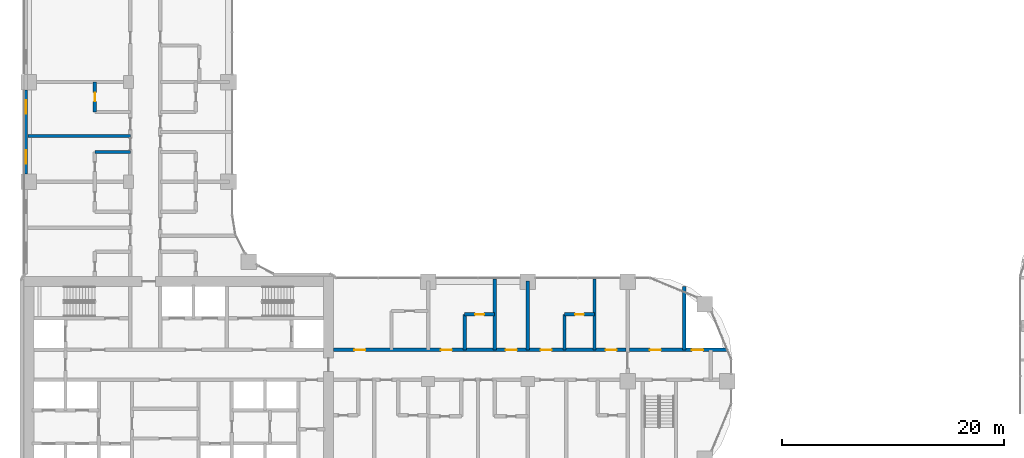
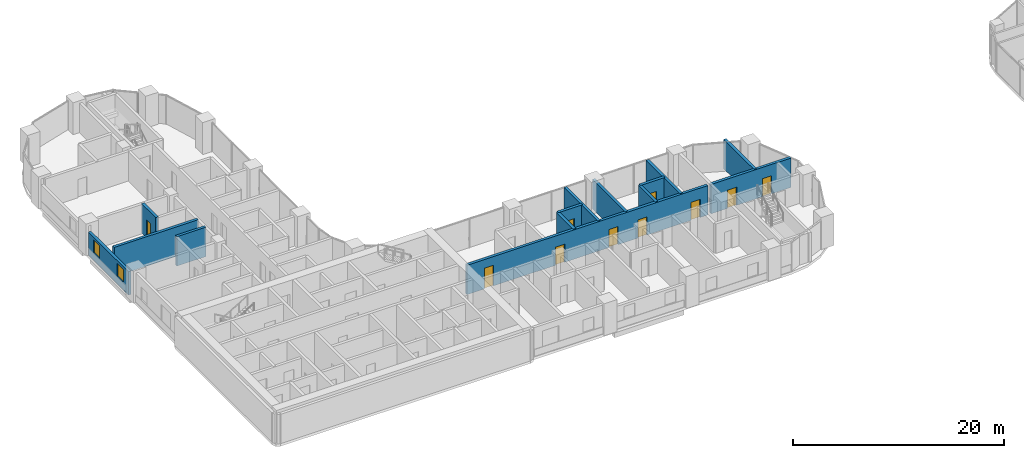
# One storey, part 19 of 31: 14 walls, 10 doors, 2 windows, 12 openings.
"""IFC4 building model written with IfcOpenShell, lengths in metres."""

from ifc_helpers import new_model, si_unit, direction, frame, frame_2d, origin, place, context, subcontext, project, spatial, rectangle, extrude, material, layer, layer_set, type_object, element, fill, save


model = new_model("IFC4")

# Units and contexts
model_context = context("Model", 3, precision=1e-05, world=origin(), true_north=direction((0.0, 1.0)))
body_context = subcontext(model_context, "Body", "Model", "MODEL_VIEW")
ifc_project = project(units=[si_unit("LENGTHUNIT", "METRE"), si_unit("AREAUNIT", "SQUARE_METRE"), si_unit("VOLUMEUNIT", "CUBIC_METRE"), si_unit("PLANEANGLEUNIT", "RADIAN"), si_unit("MASSUNIT", "GRAM", prefix="KILO")], contexts=[model_context])

# Site, building, storey
site_placement = place(None, origin())
site = spatial("IfcSite", under=ifc_project, at=site_placement, CompositionType="ELEMENT")
building_placement = place(site_placement, origin())
building = spatial("IfcBuilding", under=site, at=building_placement, Name="Ogive Portal Towers", CompositionType="ELEMENT")
storey_placement = place(building_placement, frame((0.0, 0.0, 40.89990234375)))
storey = spatial("IfcBuildingStorey", under=building, at=storey_placement, Name="L08", CompositionType="ELEMENT", Elevation=40.89990234375)

# Wall, openings, windows
ifc_material_1 = material(Name="Limestone cladding on lightweight block wall", Category="masonry")
ifc_layer_1 = layer(ifc_material_1, 0.300048828125)
ifc_layer_set_1 = layer_set([ifc_layer_1], Name="EXTERNAL WALL 300 STONE")
wall_type_1 = type_object("IfcWallType", Name="EXTERNAL WALL 300 STONE", PredefinedType="SOLIDWALL", material=ifc_layer_set_1)
wall_1_placement = place(storey_placement, frame((31.22509765625, 56.800048828125, 0.0), z_axis=(0.0, 0.0, 1.0), x_axis=(0.0, -1.0, 0.0)))
wall_1 = element("IfcWall", 1, at=wall_1_placement, inside=storey, type_object=wall_type_1, Name="A:L08:f13:r0:wall3", PredefinedType="SOLIDWALL", context=body_context, shape_type="SweptSolid", body=[
    extrude(rectangle(XDim=7.60009765625, YDim=0.300048828125, at=frame_2d((3.800048828125, 0.0))), origin(), (0.0, 0.0, 1.0), 2.7001953125),
])
opening_1_placement = place(wall_1_placement, frame((0.949951171875, 0.0, 0.89990234375)))
opening_1 = element("IfcOpeningElement", 2, at=opening_1_placement, cuts=wall_1, Name="Opening WN9", PredefinedType="OPENING", context=body_context, shape_type="SweptSolid", body=[
    extrude(rectangle(XDim=1.199951171875, YDim=1.5, at=frame_2d((0.60009765625, 0.75))), frame((0.0, 0.16015625, 0.0), z_axis=(0.0, -1.0, 0.0), x_axis=(1.0, 0.0, 0.0)), (0.0, 0.0, 1.0), 0.320068359375),
])
opening_2_placement = place(wall_1_placement, frame((5.449951171875, 0.0, 0.89990234375)))
opening_2 = element("IfcOpeningElement", 3, at=opening_2_placement, cuts=wall_1, Name="Opening WN9", PredefinedType="OPENING", context=body_context, shape_type="SweptSolid", body=[
    extrude(rectangle(XDim=1.199951171875, YDim=1.5, at=frame_2d((0.60009765625, 0.75))), frame((0.0, 0.16015625, 0.0), z_axis=(0.0, -1.0, 0.0), x_axis=(1.0, 0.0, 0.0)), (0.0, 0.0, 1.0), 0.320068359375),
])
ifc_material_2 = material(Name="Glass, clear low-iron insulated glazing", Category="glass")
window_type = type_object("IfcWindowType", Name="WINDOW HOTEL CASEMENT 1200x1500", PartitioningType="DOUBLE_PANEL_VERTICAL", PredefinedType="WINDOW", material=ifc_material_2)
window_1_placement = place(opening_1_placement, origin())
window_1 = element("IfcWindow", 4, at=window_1_placement, inside=storey, type_object=window_type, Name="A:L08:f13:r0:w2", OverallHeight=1.5, OverallWidth=1.199951171875, PartitioningType="SINGLE_PANEL", PredefinedType="WINDOW", context=body_context, shape_type="SweptSolid", body=[
    extrude(rectangle(XDim=1.199951171875, YDim=1.5, at=frame_2d((0.60009765625, 0.75))), frame((0.0, 0.030029296875, 0.0), z_axis=(0.0, -1.0, 0.0), x_axis=(1.0, 0.0, 0.0)), (0.0, 0.0, 1.0), 0.06005859375),
])
fill(opening_1, window_1)
window_2_placement = place(opening_2_placement, origin())
window_2 = element("IfcWindow", 5, at=window_2_placement, inside=storey, type_object=window_type, Name="A:L08:f13:r0:w3", OverallHeight=1.5, OverallWidth=1.199951171875, PartitioningType="SINGLE_PANEL", PredefinedType="WINDOW", context=body_context, shape_type="SweptSolid", body=[
    extrude(rectangle(XDim=1.199951171875, YDim=1.5, at=frame_2d((0.60009765625, 0.75))), frame((0.0, 0.030029296875, 0.0), z_axis=(0.0, -1.0, 0.0), x_axis=(1.0, 0.0, 0.0)), (0.0, 0.0, 1.0), 0.06005859375),
])
fill(opening_2, window_2)

# Wall, openings, doors
ifc_material_3 = material(Name="Gypsum board partition on steel studs", Category="steel")
ifc_layer_2 = layer(ifc_material_3, 0.300048828125)
ifc_layer_set_2 = layer_set([ifc_layer_2], Name="WT-PART-300-EI 120")
wall_type_2 = type_object("IfcWallType", Name="WT-PART-300-EI 120", PredefinedType="PARTITIONING", material=ifc_layer_set_2)
wall_2_placement = place(storey_placement, frame((58.949951171875, 33.35009765625, 0.0), z_axis=(0.0, 0.0, 1.0), x_axis=(1.0, 0.0, 0.0)))
wall_2 = element("IfcWall", 6, at=wall_2_placement, inside=storey, type_object=wall_type_2, Name="Wall L08:w009", PredefinedType="PARTITIONING", context=body_context, shape_type="SweptSolid", body=[
    extrude(rectangle(XDim=26.380126953125, YDim=0.300048828125, at=frame_2d((13.18994140625, 0.0))), origin(), (0.0, 0.0, 1.0), 3.400146484375),
])
opening_3_placement = place(wall_2_placement, frame((1.89990234375, 0.0, 0.0)))
opening_3 = element("IfcOpeningElement", 7, at=opening_3_placement, cuts=wall_2, Name="Opening D01-028", PredefinedType="OPENING", context=body_context, shape_type="SweptSolid", body=[
    extrude(rectangle(XDim=1.0, YDim=2.39990234375, at=frame_2d((0.5, 1.199951171875))), frame((0.0, 0.16015625, 0.0), z_axis=(0.0, -1.0, 0.0), x_axis=(1.0, 0.0, 0.0)), (0.0, 0.0, 1.0), 0.320068359375),
])
opening_4_placement = place(wall_2_placement, frame((9.699951171875, 0.0, 0.0)))
opening_4 = element("IfcOpeningElement", 8, at=opening_4_placement, cuts=wall_2, Name="Opening D01-034", PredefinedType="OPENING", context=body_context, shape_type="SweptSolid", body=[
    extrude(rectangle(XDim=1.0, YDim=2.10009765625, at=frame_2d((0.5, 1.050048828125))), frame((0.0, 0.16015625, 0.0), z_axis=(0.0, -1.0, 0.0), x_axis=(1.0, 0.0, 0.0)), (0.0, 0.0, 1.0), 0.320068359375),
])
opening_5_placement = place(wall_2_placement, frame((15.550048828125, 0.0, 0.0)))
opening_5 = element("IfcOpeningElement", 9, at=opening_5_placement, cuts=wall_2, Name="Opening D01-035", PredefinedType="OPENING", context=body_context, shape_type="SweptSolid", body=[
    extrude(rectangle(XDim=1.0, YDim=2.10009765625, at=frame_2d((0.5, 1.050048828125))), frame((0.0, 0.16015625, 0.0), z_axis=(0.0, -1.0, 0.0), x_axis=(1.0, 0.0, 0.0)), (0.0, 0.0, 1.0), 0.320068359375),
])
opening_6_placement = place(wall_2_placement, frame((18.699951171875, 0.0, 0.0)))
opening_6 = element("IfcOpeningElement", 10, at=opening_6_placement, cuts=wall_2, Name="Opening D01-041", PredefinedType="OPENING", context=body_context, shape_type="SweptSolid", body=[
    extrude(rectangle(XDim=1.0, YDim=2.10009765625, at=frame_2d((0.5, 1.050048828125))), frame((0.0, 0.16015625, 0.0), z_axis=(0.0, -1.0, 0.0), x_axis=(1.0, 0.0, 0.0)), (0.0, 0.0, 1.0), 0.320068359375),
])
opening_7_placement = place(wall_2_placement, frame((24.550048828125, 0.0, 0.0)))
opening_7 = element("IfcOpeningElement", 11, at=opening_7_placement, cuts=wall_2, Name="Opening D01-042", PredefinedType="OPENING", context=body_context, shape_type="SweptSolid", body=[
    extrude(rectangle(XDim=1.0, YDim=2.10009765625, at=frame_2d((0.5, 1.050048828125))), frame((0.0, 0.16015625, 0.0), z_axis=(0.0, -1.0, 0.0), x_axis=(1.0, 0.0, 0.0)), (0.0, 0.0, 1.0), 0.320068359375),
])
ifc_material_4 = material(Name="Steel fire door", Category="steel")
door_type_1 = type_object("IfcDoorType", Name="DT-ENTRY-1000x2100-FD90S", OperationType="SINGLE_SWING_LEFT", PredefinedType="DOOR", material=ifc_material_4)
door_1_placement = place(opening_4_placement, origin())
door_1 = element("IfcDoor", 12, at=door_1_placement, inside=storey, type_object=door_type_1, Name="Door D01-034", OperationType="SINGLE_SWING_LEFT", OverallHeight=2.10009765625, OverallWidth=1.0, PredefinedType="DOOR", context=body_context, shape_type="SweptSolid", body=[
    extrude(rectangle(XDim=1.0, YDim=2.10009765625, at=frame_2d((0.5, 1.050048828125))), frame((0.0, 0.02490234375, 0.0), z_axis=(0.0, -1.0, 0.0), x_axis=(1.0, 0.0, 0.0)), (0.0, 0.0, 1.0), 0.050048828125),
])
fill(opening_4, door_1)
door_2_placement = place(opening_5_placement, origin())
door_2 = element("IfcDoor", 13, at=door_2_placement, inside=storey, type_object=door_type_1, Name="Door D01-035", OperationType="SINGLE_SWING_RIGHT", OverallHeight=2.10009765625, OverallWidth=1.0, PredefinedType="DOOR", context=body_context, shape_type="SweptSolid", body=[
    extrude(rectangle(XDim=1.0, YDim=2.10009765625, at=frame_2d((0.5, 1.050048828125))), frame((0.0, 0.02490234375, 0.0), z_axis=(0.0, -1.0, 0.0), x_axis=(1.0, 0.0, 0.0)), (0.0, 0.0, 1.0), 0.050048828125),
])
fill(opening_5, door_2)
door_3_placement = place(opening_6_placement, origin())
door_3 = element("IfcDoor", 14, at=door_3_placement, inside=storey, type_object=door_type_1, Name="Door D01-041", OperationType="SINGLE_SWING_LEFT", OverallHeight=2.10009765625, OverallWidth=1.0, PredefinedType="DOOR", context=body_context, shape_type="SweptSolid", body=[
    extrude(rectangle(XDim=1.0, YDim=2.10009765625, at=frame_2d((0.5, 1.050048828125))), frame((0.0, 0.02490234375, 0.0), z_axis=(0.0, -1.0, 0.0), x_axis=(1.0, 0.0, 0.0)), (0.0, 0.0, 1.0), 0.050048828125),
])
fill(opening_6, door_3)
door_4_placement = place(opening_7_placement, origin())
door_4 = element("IfcDoor", 15, at=door_4_placement, inside=storey, type_object=door_type_1, Name="Door D01-042", OperationType="SINGLE_SWING_LEFT", OverallHeight=2.10009765625, OverallWidth=1.0, PredefinedType="DOOR", context=body_context, shape_type="SweptSolid", body=[
    extrude(rectangle(XDim=1.0, YDim=2.10009765625, at=frame_2d((0.5, 1.050048828125))), frame((0.0, 0.02490234375, 0.0), z_axis=(0.0, -1.0, 0.0), x_axis=(1.0, 0.0, 0.0)), (0.0, 0.0, 1.0), 0.050048828125),
])
fill(opening_7, door_4)
door_type_2 = type_object("IfcDoorType", Name="DT-ENTRY-1000x2400-FD90S", OperationType="SINGLE_SWING_LEFT", PredefinedType="DOOR", material=ifc_material_4)
door_5_placement = place(opening_3_placement, origin())
door_5 = element("IfcDoor", 16, at=door_5_placement, inside=storey, type_object=door_type_2, Name="Door D01-028", OperationType="SINGLE_SWING_LEFT", OverallHeight=2.39990234375, OverallWidth=1.0, PredefinedType="DOOR", context=body_context, shape_type="SweptSolid", body=[
    extrude(rectangle(XDim=1.0, YDim=2.39990234375, at=frame_2d((0.5, 1.199951171875))), frame((0.0, 0.02490234375, 0.0), z_axis=(0.0, -1.0, 0.0), x_axis=(1.0, 0.0, 0.0)), (0.0, 0.0, 1.0), 0.050048828125),
])
fill(opening_3, door_5)

wall_3_placement = place(storey_placement, frame((85.669921875, 33.35009765625, 0.0), z_axis=(0.0, 0.0, 1.0), x_axis=(1.0, 0.0, 0.0)))
wall_3 = element("IfcWall", 17, at=wall_3_placement, inside=storey, type_object=wall_type_2, Name="Wall L08:w010", PredefinedType="PARTITIONING", context=body_context, shape_type="SweptSolid", body=[
    extrude(rectangle(XDim=8.7900390625, YDim=0.300048828125, at=frame_2d((4.39501953125, 0.0))), origin(), (0.0, 0.0, 1.0), 3.400146484375),
])
opening_8_placement = place(wall_3_placement, frame((1.830078125, 0.0, 0.0)))
opening_8 = element("IfcOpeningElement", 18, at=opening_8_placement, cuts=wall_3, Name="Opening D01-068", PredefinedType="OPENING", context=body_context, shape_type="SweptSolid", body=[
    extrude(rectangle(XDim=1.0, YDim=2.10009765625, at=frame_2d((0.5, 1.050048828125))), frame((0.0, 0.16015625, 0.0), z_axis=(0.0, -1.0, 0.0), x_axis=(1.0, 0.0, 0.0)), (0.0, 0.0, 1.0), 0.320068359375),
])
opening_9_placement = place(wall_3_placement, frame((5.6298828125, 0.0, 0.0)))
opening_9 = element("IfcOpeningElement", 19, at=opening_9_placement, cuts=wall_3, Name="Opening D01-069", PredefinedType="OPENING", context=body_context, shape_type="SweptSolid", body=[
    extrude(rectangle(XDim=1.0, YDim=2.10009765625, at=frame_2d((0.5, 1.050048828125))), frame((0.0, 0.16015625, 0.0), z_axis=(0.0, -1.0, 0.0), x_axis=(1.0, 0.0, 0.0)), (0.0, 0.0, 1.0), 0.320068359375),
])
door_type_3 = type_object("IfcDoorType", Name="DT-SERVICE-1000x2100-FD90S", OperationType="SINGLE_SWING_LEFT", PredefinedType="DOOR", material=ifc_material_4)
door_6_placement = place(opening_8_placement, origin())
door_6 = element("IfcDoor", 20, at=door_6_placement, inside=storey, type_object=door_type_3, Name="Door D01-068", OperationType="SINGLE_SWING_LEFT", OverallHeight=2.10009765625, OverallWidth=1.0, PredefinedType="DOOR", context=body_context, shape_type="SweptSolid", body=[
    extrude(rectangle(XDim=1.0, YDim=2.10009765625, at=frame_2d((0.5, 1.050048828125))), frame((0.0, 0.02490234375, 0.0), z_axis=(0.0, -1.0, 0.0), x_axis=(1.0, 0.0, 0.0)), (0.0, 0.0, 1.0), 0.050048828125),
])
fill(opening_8, door_6)
door_7_placement = place(opening_9_placement, origin())
door_7 = element("IfcDoor", 21, at=door_7_placement, inside=storey, type_object=door_type_3, Name="Riser access door D01-069", OperationType="SINGLE_SWING_RIGHT", OverallHeight=2.10009765625, OverallWidth=1.0, PredefinedType="DOOR", context=body_context, shape_type="SweptSolid", body=[
    extrude(rectangle(XDim=1.0, YDim=2.10009765625, at=frame_2d((0.5, 1.050048828125))), frame((0.0, 0.02490234375, 0.0), z_axis=(0.0, -1.0, 0.0), x_axis=(1.0, 0.0, 0.0)), (0.0, 0.0, 1.0), 0.050048828125),
])
fill(opening_9, door_7)

# Wall, opening, door
ifc_layer_3 = layer(ifc_material_3, 0.300048828125)
ifc_layer_set_3 = layer_set([ifc_layer_3], Name="WT-PART-300-EI 60")
wall_type_3 = type_object("IfcWallType", Name="WT-PART-300-EI 60", PredefinedType="PARTITIONING", material=ifc_layer_set_3)
wall_4_placement = place(storey_placement, frame((70.800048828125, 36.550048828125, 0.0), z_axis=(0.0, 0.0, 1.0), x_axis=(1.0, 0.0, 0.0)))
wall_4 = element("IfcWall", 22, at=wall_4_placement, inside=storey, type_object=wall_type_3, Name="Wall L08:w011", PredefinedType="PARTITIONING", context=body_context, shape_type="SweptSolid", body=[
    extrude(rectangle(XDim=2.699951171875, YDim=0.300048828125, at=frame_2d((1.35009765625, 0.0))), origin(), (0.0, 0.0, 1.0), 3.400146484375),
])
opening_10_placement = place(wall_4_placement, frame((0.949951171875, 0.0, 0.0)))
opening_10 = element("IfcOpeningElement", 23, at=opening_10_placement, cuts=wall_4, Name="Opening D01-033", PredefinedType="OPENING", context=body_context, shape_type="SweptSolid", body=[
    extrude(rectangle(XDim=0.800048828125, YDim=2.10009765625, at=frame_2d((0.39990234375, 1.050048828125))), frame((0.0, 0.16015625, 0.0), z_axis=(0.0, -1.0, 0.0), x_axis=(1.0, 0.0, 0.0)), (0.0, 0.0, 1.0), 0.320068359375),
])
door_type_4 = type_object("IfcDoorType", Name="DT-BATH-800x2100-FD60S", OperationType="SINGLE_SWING_LEFT", PredefinedType="DOOR", material=ifc_material_4)
door_8_placement = place(opening_10_placement, origin())
door_8 = element("IfcDoor", 24, at=door_8_placement, inside=storey, type_object=door_type_4, Name="Door D01-033", OperationType="SINGLE_SWING_LEFT", OverallHeight=2.10009765625, OverallWidth=0.800048828125, PredefinedType="DOOR", context=body_context, shape_type="SweptSolid", body=[
    extrude(rectangle(XDim=0.800048828125, YDim=2.10009765625, at=frame_2d((0.39990234375, 1.050048828125))), frame((0.0, 0.02490234375, 0.0), z_axis=(0.0, -1.0, 0.0), x_axis=(1.0, 0.0, 0.0)), (0.0, 0.0, 1.0), 0.050048828125),
])
fill(opening_10, door_8)

wall_5_placement = place(storey_placement, frame((79.800048828125, 36.550048828125, 0.0), z_axis=(0.0, 0.0, 1.0), x_axis=(1.0, 0.0, 0.0)))
wall_5 = element("IfcWall", 25, at=wall_5_placement, inside=storey, type_object=wall_type_3, Name="Wall L08:w012", PredefinedType="PARTITIONING", context=body_context, shape_type="SweptSolid", body=[
    extrude(rectangle(XDim=2.699951171875, YDim=0.300048828125, at=frame_2d((1.35009765625, 0.0))), origin(), (0.0, 0.0, 1.0), 3.400146484375),
])
opening_11_placement = place(wall_5_placement, frame((0.949951171875, 0.0, 0.0)))
opening_11 = element("IfcOpeningElement", 26, at=opening_11_placement, cuts=wall_5, Name="Opening D01-040", PredefinedType="OPENING", context=body_context, shape_type="SweptSolid", body=[
    extrude(rectangle(XDim=0.800048828125, YDim=2.10009765625, at=frame_2d((0.39990234375, 1.050048828125))), frame((0.0, 0.16015625, 0.0), z_axis=(0.0, -1.0, 0.0), x_axis=(1.0, 0.0, 0.0)), (0.0, 0.0, 1.0), 0.320068359375),
])
door_9_placement = place(opening_11_placement, origin())
door_9 = element("IfcDoor", 27, at=door_9_placement, inside=storey, type_object=door_type_4, Name="Door D01-040", OperationType="SINGLE_SWING_RIGHT", OverallHeight=2.10009765625, OverallWidth=0.800048828125, PredefinedType="DOOR", context=body_context, shape_type="SweptSolid", body=[
    extrude(rectangle(XDim=0.800048828125, YDim=2.10009765625, at=frame_2d((0.39990234375, 1.050048828125))), frame((0.0, 0.02490234375, 0.0), z_axis=(0.0, -1.0, 0.0), x_axis=(1.0, 0.0, 0.0)), (0.0, 0.0, 1.0), 0.050048828125),
])
fill(opening_11, door_9)

# Walls
wall_6_placement = place(storey_placement, frame((37.449951171875, 51.199951171875, 0.0), z_axis=(0.0, 0.0, 1.0), x_axis=(1.0, 0.0, 0.0)))
element("IfcWall", 28, at=wall_6_placement, inside=storey, type_object=wall_type_3, Name="Wall L08:w022", PredefinedType="PARTITIONING", context=body_context, shape_type="SweptSolid", body=[
    extrude(rectangle(XDim=3.199951171875, YDim=0.300048828125, at=frame_2d((1.60009765625, 0.0))), origin(), (0.0, 0.0, 1.0), 3.400146484375),
])
wall_7_placement = place(storey_placement, frame((31.425048828125, 52.639892578125, 0.0), z_axis=(0.0, 0.0, 1.0), x_axis=(1.0, 0.0, 0.0)))
element("IfcWall", 29, at=wall_7_placement, inside=storey, type_object=wall_type_3, Name="Wall L08:w024", PredefinedType="PARTITIONING", context=body_context, shape_type="SweptSolid", body=[
    extrude(rectangle(XDim=9.224853515625, YDim=0.300048828125, at=frame_2d((4.6123046875, 0.0))), origin(), (0.0, 0.0, 1.0), 3.400146484375),
])

# Wall, opening, door
wall_8_placement = place(storey_placement, frame((37.449951171875, 54.800048828125, 0.0), z_axis=(0.0, 0.0, 1.0), x_axis=(0.0, 1.0, 0.0)))
wall_8 = element("IfcWall", 30, at=wall_8_placement, inside=storey, type_object=wall_type_3, Name="Wall L08:w038", PredefinedType="PARTITIONING", context=body_context, shape_type="SweptSolid", body=[
    extrude(rectangle(XDim=2.699951171875, YDim=0.300048828125, at=frame_2d((1.35009765625, 0.0))), origin(), (0.0, 0.0, 1.0), 3.400146484375),
])
opening_12_placement = place(wall_8_placement, frame((0.949951171875, 0.0, 0.0)))
opening_12 = element("IfcOpeningElement", 31, at=opening_12_placement, cuts=wall_8, Name="Opening D01-060", PredefinedType="OPENING", context=body_context, shape_type="SweptSolid", body=[
    extrude(rectangle(XDim=0.800048828125, YDim=2.10009765625, at=frame_2d((0.39990234375, 1.050048828125))), frame((0.0, 0.16015625, 0.0), z_axis=(0.0, -1.0, 0.0), x_axis=(1.0, 0.0, 0.0)), (0.0, 0.0, 1.0), 0.320068359375),
])
door_10_placement = place(opening_12_placement, origin())
door_10 = element("IfcDoor", 32, at=door_10_placement, inside=storey, type_object=door_type_4, Name="Door D01-060", OperationType="SINGLE_SWING_LEFT", OverallHeight=2.10009765625, OverallWidth=0.800048828125, PredefinedType="DOOR", context=body_context, shape_type="SweptSolid", body=[
    extrude(rectangle(XDim=0.800048828125, YDim=2.10009765625, at=frame_2d((0.39990234375, 1.050048828125))), frame((0.0, 0.02490234375, 0.0), z_axis=(0.0, -1.0, 0.0), x_axis=(1.0, 0.0, 0.0)), (0.0, 0.0, 1.0), 0.050048828125),
])
fill(opening_12, door_10)

# Walls
wall_9_placement = place(storey_placement, frame((70.800048828125, 33.35009765625, 0.0), z_axis=(0.0, 0.0, 1.0), x_axis=(0.0, 1.0, 0.0)))
element("IfcWall", 33, at=wall_9_placement, inside=storey, type_object=wall_type_3, Name="Wall L08:w055", PredefinedType="PARTITIONING", context=body_context, shape_type="SweptSolid", body=[
    extrude(rectangle(XDim=3.199951171875, YDim=0.300048828125, at=frame_2d((1.60009765625, 0.0))), origin(), (0.0, 0.0, 1.0), 3.400146484375),
])
wall_10_placement = place(storey_placement, frame((73.5, 33.35009765625, 0.0), z_axis=(0.0, 0.0, 1.0), x_axis=(0.0, 1.0, 0.0)))
element("IfcWall", 34, at=wall_10_placement, inside=storey, type_object=wall_type_3, Name="Wall L08:w058", PredefinedType="PARTITIONING", context=body_context, shape_type="SweptSolid", body=[
    extrude(rectangle(XDim=6.40478515625, YDim=0.300048828125, at=frame_2d((3.202392578125, 0.0))), origin(), (0.0, 0.0, 1.0), 3.400146484375),
])
wall_11_placement = place(storey_placement, frame((76.5, 33.35009765625, 0.0), z_axis=(0.0, 0.0, 1.0), x_axis=(0.0, 1.0, 0.0)))
element("IfcWall", 35, at=wall_11_placement, inside=storey, type_object=wall_type_3, Name="Wall L08:w060", PredefinedType="PARTITIONING", context=body_context, shape_type="SweptSolid", body=[
    extrude(rectangle(XDim=6.224853515625, YDim=0.300048828125, at=frame_2d((3.1123046875, 0.0))), origin(), (0.0, 0.0, 1.0), 3.400146484375),
])
wall_12_placement = place(storey_placement, frame((79.800048828125, 33.35009765625, 0.0), z_axis=(0.0, 0.0, 1.0), x_axis=(0.0, 1.0, 0.0)))
element("IfcWall", 36, at=wall_12_placement, inside=storey, type_object=wall_type_3, Name="Wall L08:w061", PredefinedType="PARTITIONING", context=body_context, shape_type="SweptSolid", body=[
    extrude(rectangle(XDim=3.199951171875, YDim=0.300048828125, at=frame_2d((1.60009765625, 0.0))), origin(), (0.0, 0.0, 1.0), 3.400146484375),
])
wall_13_placement = place(storey_placement, frame((82.5, 33.35009765625, 0.0), z_axis=(0.0, 0.0, 1.0), x_axis=(0.0, 1.0, 0.0)))
element("IfcWall", 37, at=wall_13_placement, inside=storey, type_object=wall_type_3, Name="Wall L08:w063", PredefinedType="PARTITIONING", context=body_context, shape_type="SweptSolid", body=[
    extrude(rectangle(XDim=6.40478515625, YDim=0.300048828125, at=frame_2d((3.202392578125, 0.0))), origin(), (0.0, 0.0, 1.0), 3.400146484375),
])
wall_14_placement = place(storey_placement, frame((90.60009765625, 33.35009765625, 0.0), z_axis=(0.0, 0.0, 1.0), x_axis=(0.0, 1.0, 0.0)))
element("IfcWall", 38, at=wall_14_placement, inside=storey, type_object=wall_type_3, Name="Wall L08:w067", PredefinedType="PARTITIONING", context=body_context, shape_type="SweptSolid", body=[
    extrude(rectangle(XDim=5.7158203125, YDim=0.300048828125, at=frame_2d((2.85791015625, 0.0))), origin(), (0.0, 0.0, 1.0), 3.400146484375),
])

save(model, "model.ifc")
